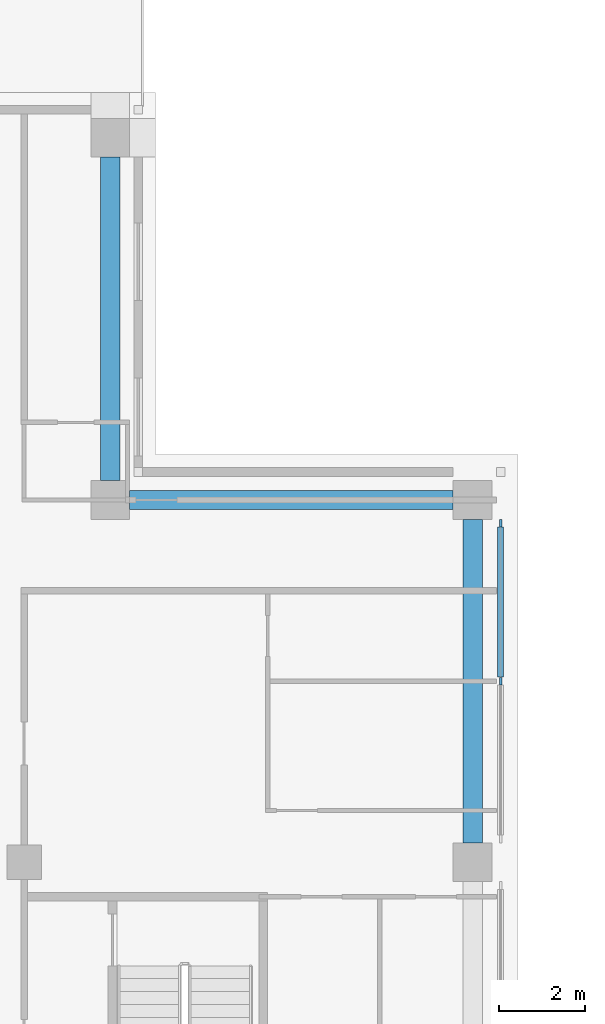
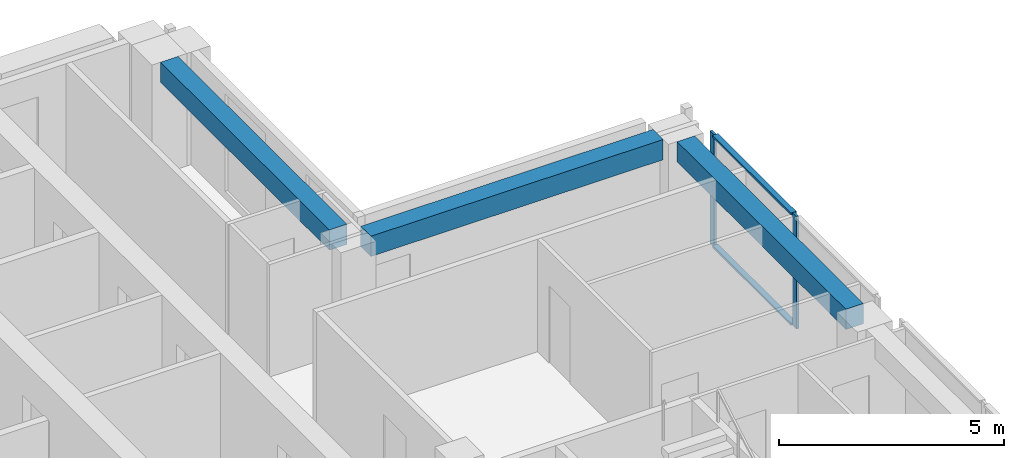
# One storey, part 7 of 19: 4 members, 3 beams, 1 element without a shape of its own.
"""IFC4 building model written with IfcOpenShell, lengths in metres."""

from ifc_helpers import new_model, si_unit, direction, frame, origin, origin_2d, place, context, subcontext, project, spatial, rectangle, extrude, material, material_profile, profile_set, type_object, element, aggregate, save


model = new_model("IFC4")

# Units and contexts
model_context = context("Model", 3, precision=1e-05, world=origin(), true_north=direction((0.0, 1.0)))
body_context = subcontext(model_context, "Body", "Model", "MODEL_VIEW")
ifc_project = project(units=[si_unit("LENGTHUNIT", "METRE"), si_unit("AREAUNIT", "SQUARE_METRE"), si_unit("VOLUMEUNIT", "CUBIC_METRE"), si_unit("PLANEANGLEUNIT", "RADIAN"), si_unit("MASSUNIT", "GRAM", prefix="KILO")], contexts=[model_context])

# Site, building, storey
site_placement = place(None, origin())
site = spatial("IfcSite", under=ifc_project, at=site_placement, CompositionType="ELEMENT")
building_placement = place(site_placement, origin())
building = spatial("IfcBuilding", under=site, at=building_placement, Name="Vermilion Ogive Tower", CompositionType="ELEMENT")
storey_placement = place(building_placement, frame((0.0, 0.0, 226.89990234375)))
storey = spatial("IfcBuildingStorey", under=building, at=storey_placement, Name="L59", CompositionType="ELEMENT", Elevation=226.89990234375)

# Curtain wall, members
ifc_material_1 = material(Name="Low-iron laminated glazing in aluminium frame", Category="aluminium")
curtain_wall_type = type_object("IfcCurtainWallType", Name="Curtain wall CW7", PredefinedType="NOTDEFINED", material=ifc_material_1)
curtain_wall_placement = place(storey_placement, origin())
curtain_wall = element("IfcCurtainWall", 1, at=curtain_wall_placement, inside=storey, type_object=curtain_wall_type, Name="Glazed skin E3", PredefinedType="NOTDEFINED")
ifc_material_2 = material(Name="Aluminium mullion", Category="aluminium")
ifc_material_profile_1 = material_profile(ifc_material_2, rectangle(XDim=0.06005859375, YDim=0.179931640625, at=origin_2d()), Name="AL 60x180")
ifc_profile_set_1 = profile_set([ifc_material_profile_1], Name="Aluminium mullion")
member_type_1 = type_object("IfcMemberType", Name="CW7 mullion 60x180", PredefinedType="MULLION", material=ifc_profile_set_1)
member_1_placement = place(storey_placement, frame((25.85009765625, 8.39990234375, 0.0), z_axis=(0.0, 0.0, 1.0), x_axis=(-1.0, 0.0, 0.0)))
member_1 = element("IfcMember", 2, at=member_1_placement, type_object=member_type_1, Name="CW7-E3 mullion 2", PredefinedType="MULLION", context=body_context, shape_type="SweptSolid", body=[
    extrude(rectangle(XDim=0.06005859375, YDim=0.179931640625, at=origin_2d()), origin(), (0.0, 0.0, 1.0), 3.050048828125),
])
member_2_placement = place(storey_placement, frame((25.85009765625, 12.06005859375, 0.0), z_axis=(0.0, 0.0, 1.0), x_axis=(-1.0, 0.0, 0.0)))
member_2 = element("IfcMember", 3, at=member_2_placement, type_object=member_type_1, Name="CW7-E3 mullion 3", PredefinedType="MULLION", context=body_context, shape_type="SweptSolid", body=[
    extrude(rectangle(XDim=0.06005859375, YDim=0.179931640625, at=origin_2d()), origin(), (0.0, 0.0, 1.0), 3.050048828125),
])
ifc_material_3 = material(Name="Aluminium transom", Category="aluminium")
ifc_material_profile_2 = material_profile(ifc_material_3, rectangle(XDim=0.139892578125, YDim=0.06005859375, at=origin_2d()), Name="AL 60x140")
ifc_profile_set_2 = profile_set([ifc_material_profile_2], Name="Aluminium transom")
member_type_2 = type_object("IfcMemberType", Name="CW7 transom 60x140", PredefinedType="USERDEFINED", material=ifc_profile_set_2)
member_3_placement = place(storey_placement, frame((25.85009765625, 8.489990234375, 0.030029296875), z_axis=(0.0, 1.0, 0.0), x_axis=(-1.0, 0.0, 0.0)))
member_3 = element("IfcMember", 4, at=member_3_placement, type_object=member_type_2, Name="CW7-E3 transom 2.1", ObjectType="TRANSOM", PredefinedType="USERDEFINED", context=body_context, shape_type="SweptSolid", body=[
    extrude(rectangle(XDim=0.139892578125, YDim=0.06005859375, at=origin_2d()), origin(), (0.0, 0.0, 1.0), 3.47998046875),
])
member_4_placement = place(storey_placement, frame((25.85009765625, 8.489990234375, 3.02001953125), z_axis=(0.0, 1.0, 0.0), x_axis=(-1.0, 0.0, 0.0)))
member_4 = element("IfcMember", 5, at=member_4_placement, type_object=member_type_2, Name="CW7-E3 transom 2.2", ObjectType="TRANSOM", PredefinedType="USERDEFINED", context=body_context, shape_type="SweptSolid", body=[
    extrude(rectangle(XDim=0.139892578125, YDim=0.06005859375, at=origin_2d()), origin(), (0.0, 0.0, 1.0), 3.47998046875),
])
aggregate(curtain_wall, [member_1, member_2, member_3, member_4])

# Beams
ifc_material_4 = material(Name="Concrete B45", Category="concrete")
ifc_material_profile_3 = material_profile(ifc_material_4, rectangle(XDim=0.449951171875, YDim=0.550048828125, at=origin_2d()), Name="450 x 550")
ifc_profile_set_3 = profile_set([ifc_material_profile_3], Name="Concrete B45")
beam_type = type_object("IfcBeamType", Name="Edge beam 450 x 550 B45", PredefinedType="BEAM", material=ifc_profile_set_3)
for number, where, z_axis, x_axis, name in (
    (6, (25.199951171875, 4.64990234375, 2.775146484375), (0.0, 1.0, 0.0), (-1.0, 0.0, 0.0), "L59-EB-9"),
    (7, (24.75, 12.60009765625, 2.775146484375), (-1.0, 0.0, 0.0), (0.0, -1.0, 0.0), "L59-EB-10"),
    (8, (16.800048828125, 13.050048828125, 2.775146484375), (0.0, 1.0, 0.0), (-1.0, 0.0, 0.0), "L59-EB-11"),
):
    element("IfcBeam", number, at=place(storey_placement, frame(where, z_axis=z_axis, x_axis=x_axis)), inside=storey, type_object=beam_type, Name=name, PredefinedType="BEAM", context=body_context, shape_type="SweptSolid", body=[
        extrude(rectangle(XDim=0.449951171875, YDim=0.550048828125, at=origin_2d()), origin(), (0.0, 0.0, 1.0), 7.5),
    ])

save(model, "model.ifc")
